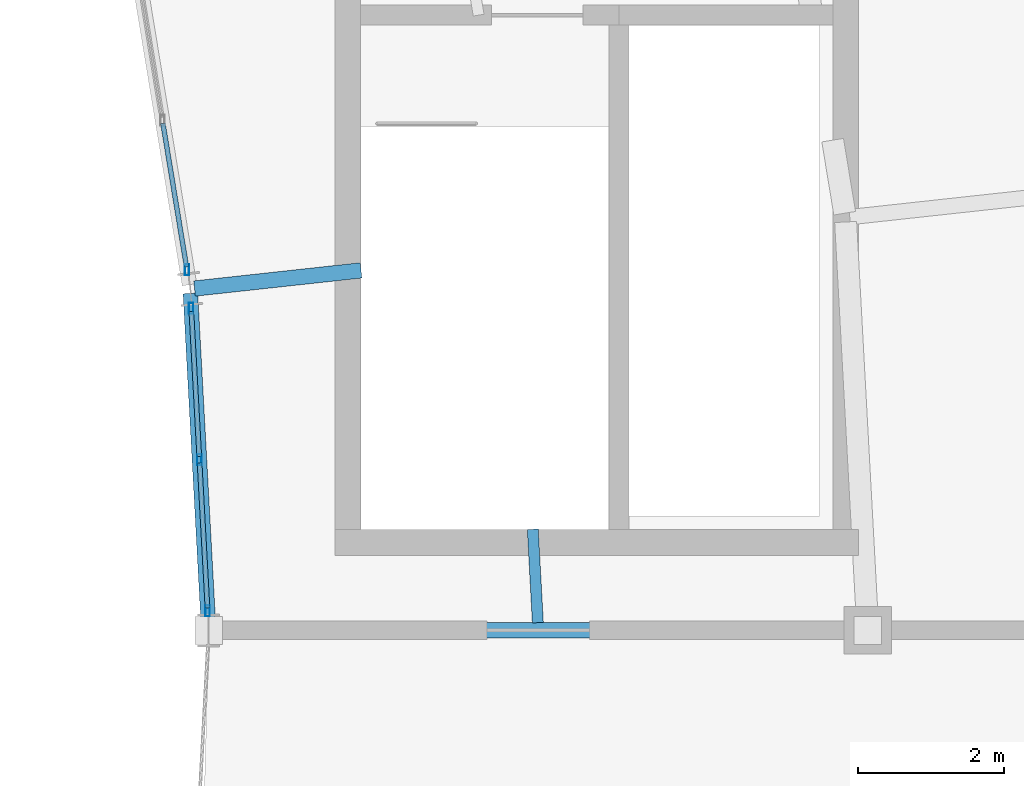
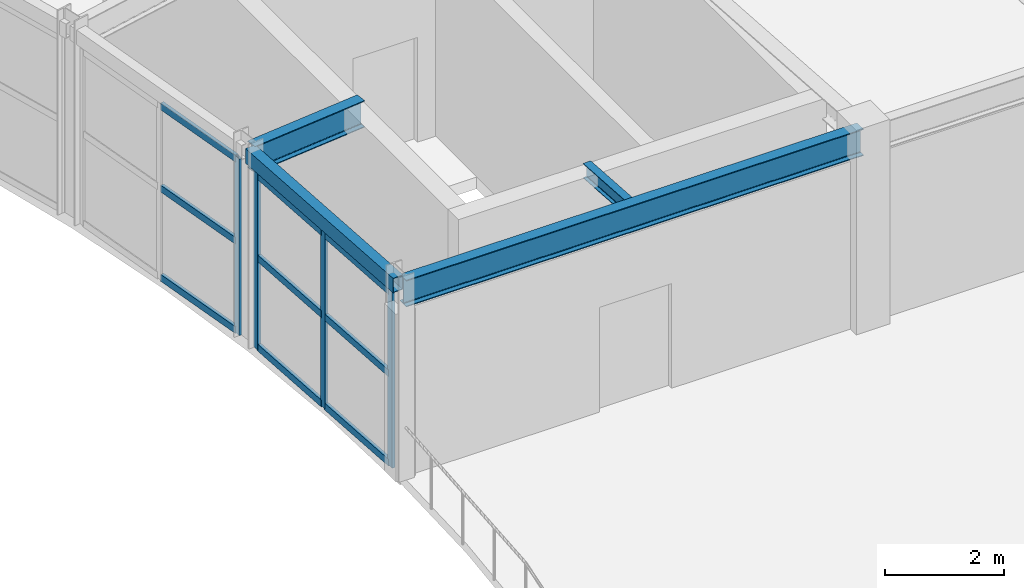
# One storey, part 6 of 29: 13 members, 4 beams, 2 elements without a shape of their own.
"""IFC4 building model written with IfcOpenShell, lengths in metres."""

from ifc_helpers import new_model, si_unit, direction, frame, origin, origin_2d, place, context, subcontext, project, spatial, hollow_rectangle, i_section, extrude, material, material_profile, profile_set, type_object, element, aggregate, save


model = new_model("IFC4")

# Units and contexts
model_context = context("Model", 3, precision=1e-05, world=origin(), true_north=direction((0.0, 1.0)))
body_context = subcontext(model_context, "Body", "Model", "MODEL_VIEW")
ifc_project = project(units=[si_unit("LENGTHUNIT", "METRE"), si_unit("AREAUNIT", "SQUARE_METRE"), si_unit("VOLUMEUNIT", "CUBIC_METRE"), si_unit("PLANEANGLEUNIT", "RADIAN"), si_unit("MASSUNIT", "GRAM", prefix="KILO")], contexts=[model_context])

# Site, building, storey
site_placement = place(None, origin())
site = spatial("IfcSite", under=ifc_project, at=site_placement, CompositionType="ELEMENT")
building_placement = place(site_placement, origin())
building = spatial("IfcBuilding", under=site, at=building_placement, Name="Tarnveldt Headland Concert Hall", CompositionType="ELEMENT")
storey_placement = place(building_placement, frame((0.0, 0.0, 18.60009765625)))
storey = spatial("IfcBuildingStorey", under=building, at=storey_placement, Name="L04", CompositionType="ELEMENT", Elevation=18.60009765625)

# Curtain wall, members
ifc_material_1 = material(Name="Marine-anodised aluminium EN AW-6063-T6", Category="aluminium")
curtain_wall_type = type_object("IfcCurtainWallType", Name="CW-C5", PredefinedType="NOTDEFINED", material=ifc_material_1)
curtain_wall_1_placement = place(storey_placement, origin())
curtain_wall_1 = element("IfcCurtainWall", 1, at=curtain_wall_1_placement, inside=storey, type_object=curtain_wall_type, Name="Curtain wall CW-L04-147", PredefinedType="NOTDEFINED")
ifc_material_profile_1 = material_profile(ifc_material_1, hollow_rectangle(XDim=0.06005859375, YDim=0.14990234375, WallThickness=0.00390625, at=origin_2d()), Name="ALU MULLION 60x150x4", Category="aluminium")
ifc_profile_set_1 = profile_set([ifc_material_profile_1], Name="Marine-anodised aluminium EN AW-6063-T6")
member_type_1 = type_object("IfcMemberType", Name="ML-150", PredefinedType="MULLION", material=ifc_profile_set_1)
member_1_placement = place(storey_placement, frame((160.485595703125, 60.2646484375, 0.0), z_axis=(0.0, 0.0, 1.0), x_axis=(1.0, 0.0, 0.0)))
member_1 = element("IfcMember", 2, at=member_1_placement, type_object=member_type_1, Name="Mullion CW-L04-147-1", PredefinedType="MULLION", context=body_context, shape_type="SweptSolid", body=[
    extrude(hollow_rectangle(XDim=0.06005859375, YDim=0.14990234375, WallThickness=0.00390625, at=origin_2d()), origin(), (0.0, 0.0, 1.0), 3.619873046875),
])
member_2_placement = place(storey_placement, frame((160.373291015625, 62.330322265625, 0.0), z_axis=(0.0, 0.0, 1.0), x_axis=(1.0, 0.0, 0.0)))
member_2 = element("IfcMember", 3, at=member_2_placement, type_object=member_type_1, Name="Mullion CW-L04-147-2", PredefinedType="MULLION", context=body_context, shape_type="SweptSolid", body=[
    extrude(hollow_rectangle(XDim=0.06005859375, YDim=0.14990234375, WallThickness=0.00390625, at=origin_2d()), origin(), (0.0, 0.0, 1.0), 3.619873046875),
])
member_3_placement = place(storey_placement, frame((160.260986328125, 64.39599609375, 0.0), z_axis=(0.0, 0.0, 1.0), x_axis=(1.0, 0.0, 0.0)))
member_3 = element("IfcMember", 4, at=member_3_placement, type_object=member_type_1, Name="Mullion CW-L04-147-3", PredefinedType="MULLION", context=body_context, shape_type="SweptSolid", body=[
    extrude(hollow_rectangle(XDim=0.06005859375, YDim=0.14990234375, WallThickness=0.00390625, at=origin_2d()), origin(), (0.0, 0.0, 1.0), 3.619873046875),
])

# Curtain wall, member
curtain_wall_2_placement = place(storey_placement, origin())
curtain_wall_2 = element("IfcCurtainWall", 5, at=curtain_wall_2_placement, inside=storey, type_object=curtain_wall_type, Name="Curtain wall CW-L04-148", PredefinedType="NOTDEFINED")
member_4_placement = place(storey_placement, frame((160.20361328125, 64.922119140625, 0.0), z_axis=(0.0, 0.0, 1.0), x_axis=(1.0, 0.0, 0.0)))
member_4 = element("IfcMember", 6, at=member_4_placement, type_object=member_type_1, Name="Mullion CW-L04-148-1", PredefinedType="MULLION", context=body_context, shape_type="SweptSolid", body=[
    extrude(hollow_rectangle(XDim=0.06005859375, YDim=0.14990234375, WallThickness=0.00390625, at=origin_2d()), origin(), (0.0, 0.0, 1.0), 3.619873046875),
])

# Beams
ifc_material_2 = material(Name="Steel S355", Category="steel")
ifc_material_profile_2 = material_profile(ifc_material_2, i_section(OverallWidth=0.14990234375, OverallDepth=0.300048828125, WebThickness=0.007080078125, FlangeThickness=0.0107421875, FilletRadius=0.014892578125, at=origin_2d()), Name="IPE300", Category="steel")
ifc_profile_set_2 = profile_set([ifc_material_profile_2], Name="Steel S355")
beam_type_1 = type_object("IfcBeamType", Name="SB-IPE300", PredefinedType="JOIST", material=ifc_profile_set_2)
beam_1_placement = place(storey_placement, frame((164.994384765625, 60.104736328125, 3.85498046875), z_axis=(-0.05429467501, 0.998524956256, 0.0), x_axis=(-0.998524956256, -0.05429467501, 0.0)))
element("IfcBeam", 7, at=beam_1_placement, inside=storey, type_object=beam_type_1, Name="Framing beam L04-1360", PredefinedType="JOIST", context=body_context, shape_type="SweptSolid", body=[
    extrude(i_section(OverallWidth=0.14990234375, OverallDepth=0.300048828125, WebThickness=0.007080078125, FlangeThickness=0.0107421875, FilletRadius=0.014892578125, at=origin_2d()), origin(), (0.0, 0.0, 1.0), 1.277099609375),
])
ifc_material_profile_3 = material_profile(ifc_material_2, i_section(OverallWidth=0.2099609375, OverallDepth=0.550048828125, WebThickness=0.010986328125, FlangeThickness=0.01708984375, FilletRadius=0.02392578125, at=origin_2d()), Name="IPE550", Category="steel")
ifc_profile_set_3 = profile_set([ifc_material_profile_3], Name="Steel S355")
beam_type_2 = type_object("IfcBeamType", Name="SB-IPE550", PredefinedType="BEAM", material=ifc_profile_set_3)
beam_2_placement = place(storey_placement, frame((160.56005859375, 60.0, 3.72998046875), z_axis=(1.0, 0.0, 0.0), x_axis=(0.0, 1.0, 0.0)))
element("IfcBeam", 8, at=beam_2_placement, inside=storey, type_object=beam_type_2, Name="Framing beam L04-1355", PredefinedType="BEAM", context=body_context, shape_type="SweptSolid", body=[
    extrude(i_section(OverallWidth=0.2099609375, OverallDepth=0.550048828125, WebThickness=0.010986328125, FlangeThickness=0.01708984375, FilletRadius=0.02392578125, at=origin_2d()), origin(), (0.0, 0.0, 1.0), 8.8798828125),
])
beam_3_placement = place(storey_placement, frame((160.306396484375, 64.6669921875, 3.72998046875), z_axis=(0.994101758136, 0.108451346104, 0.0), x_axis=(-0.108451346104, 0.994101758136, 0.0)))
element("IfcBeam", 9, at=beam_3_placement, inside=storey, type_object=beam_type_2, Name="Framing beam L04-1362", PredefinedType="BEAM", context=body_context, shape_type="SweptSolid", body=[
    extrude(i_section(OverallWidth=0.2099609375, OverallDepth=0.550048828125, WebThickness=0.010986328125, FlangeThickness=0.01708984375, FilletRadius=0.02392578125, at=origin_2d()), origin(), (0.0, 0.0, 1.0), 2.287109375),
])
ifc_material_profile_4 = material_profile(ifc_material_2, hollow_rectangle(XDim=0.199951171875, YDim=0.300048828125, WallThickness=0.012451171875, at=origin_2d()), Name="RHS 300x200x12.5", Category="steel")
ifc_profile_set_4 = profile_set([ifc_material_profile_4], Name="Steel S355")
beam_type_3 = type_object("IfcBeamType", Name="SB-RHS300", PredefinedType="SPANDREL", material=ifc_profile_set_4)
beam_4_placement = place(storey_placement, frame((160.49658203125, 60.059814453125, 3.85498046875), z_axis=(-0.05422410232, 0.998528791136, 0.0), x_axis=(-0.998528791136, -0.05422410232, 0.0)))
element("IfcBeam", 10, at=beam_4_placement, inside=storey, type_object=beam_type_3, Name="Framing beam L04-1357", PredefinedType="SPANDREL", context=body_context, shape_type="SweptSolid", body=[
    extrude(hollow_rectangle(XDim=0.199951171875, YDim=0.300048828125, WallThickness=0.012451171875, at=origin_2d()), origin(), (0.0, 0.0, 1.0), 4.54736328125),
])

# Member
ifc_material_profile_5 = material_profile(ifc_material_1, hollow_rectangle(XDim=0.06494140625, YDim=0.139892578125, WallThickness=0.00390625, at=origin_2d()), Name="ALU TRANSOM 65x140x4", Category="aluminium")
ifc_profile_set_5 = profile_set([ifc_material_profile_5], Name="Marine-anodised aluminium EN AW-6063-T6")
member_type_2 = type_object("IfcMemberType", Name="TR-140", PredefinedType="MEMBER", material=ifc_profile_set_5)
member_5_placement = place(storey_placement, frame((160.4833984375, 60.306396484375, 0.0498046875), z_axis=(-0.054366384096, 0.9985210545, 0.0), x_axis=(-0.9985210545, -0.054366384096, 0.0)))
member_5 = element("IfcMember", 11, at=member_5_placement, type_object=member_type_2, Name="Transom CW-L04-147-1-1", PredefinedType="MEMBER", context=body_context, shape_type="SweptSolid", body=[
    extrude(hollow_rectangle(XDim=0.06494140625, YDim=0.139892578125, WallThickness=0.00390625, at=origin_2d()), origin(), (0.0, 0.0, 1.0), 1.98486328125),
])

member_6_placement = place(storey_placement, frame((160.4833984375, 60.306396484375, 1.88232421875), z_axis=(-0.054366384096, 0.9985210545, 0.0), x_axis=(-0.9985210545, -0.054366384096, 0.0)))
member_6 = element("IfcMember", 12, at=member_6_placement, type_object=member_type_2, Name="Transom CW-L04-147-1-2", PredefinedType="MEMBER", context=body_context, shape_type="SweptSolid", body=[
    extrude(hollow_rectangle(XDim=0.06494140625, YDim=0.139892578125, WallThickness=0.00390625, at=origin_2d()), origin(), (0.0, 0.0, 1.0), 1.98486328125),
])

member_7_placement = place(storey_placement, frame((160.4833984375, 60.306396484375, 3.56982421875), z_axis=(-0.054366384096, 0.9985210545, 0.0), x_axis=(-0.9985210545, -0.054366384096, 0.0)))
member_7 = element("IfcMember", 13, at=member_7_placement, type_object=member_type_2, Name="Transom CW-L04-147-1-3", PredefinedType="MEMBER", context=body_context, shape_type="SweptSolid", body=[
    extrude(hollow_rectangle(XDim=0.06494140625, YDim=0.139892578125, WallThickness=0.00390625, at=origin_2d()), origin(), (0.0, 0.0, 1.0), 1.98486328125),
])

member_8_placement = place(storey_placement, frame((160.37109375, 62.372314453125, 0.0498046875), z_axis=(-0.054250408618, 0.998527362251, 0.0), x_axis=(-0.998527362251, -0.054250408618, 0.0)))
member_8 = element("IfcMember", 14, at=member_8_placement, type_object=member_type_2, Name="Transom CW-L04-147-2-1", PredefinedType="MEMBER", context=body_context, shape_type="SweptSolid", body=[
    extrude(hollow_rectangle(XDim=0.06494140625, YDim=0.139892578125, WallThickness=0.00390625, at=origin_2d()), origin(), (0.0, 0.0, 1.0), 1.984619140625),
])

member_9_placement = place(storey_placement, frame((160.37109375, 62.372314453125, 1.88232421875), z_axis=(-0.054250408618, 0.998527362251, 0.0), x_axis=(-0.998527362251, -0.054250408618, 0.0)))
member_9 = element("IfcMember", 15, at=member_9_placement, type_object=member_type_2, Name="Transom CW-L04-147-2-2", PredefinedType="MEMBER", context=body_context, shape_type="SweptSolid", body=[
    extrude(hollow_rectangle(XDim=0.06494140625, YDim=0.139892578125, WallThickness=0.00390625, at=origin_2d()), origin(), (0.0, 0.0, 1.0), 1.984619140625),
])

member_10_placement = place(storey_placement, frame((160.37109375, 62.372314453125, 3.56982421875), z_axis=(-0.054250408618, 0.998527362251, 0.0), x_axis=(-0.998527362251, -0.054250408618, 0.0)))
member_10 = element("IfcMember", 16, at=member_10_placement, type_object=member_type_2, Name="Transom CW-L04-147-2-3", PredefinedType="MEMBER", context=body_context, shape_type="SweptSolid", body=[
    extrude(hollow_rectangle(XDim=0.06494140625, YDim=0.139892578125, WallThickness=0.00390625, at=origin_2d()), origin(), (0.0, 0.0, 1.0), 1.984619140625),
])

aggregate(curtain_wall_1, [member_1, member_2, member_3, member_5, member_6, member_7, member_8, member_9, member_10])

member_11_placement = place(storey_placement, frame((160.197021484375, 64.96337890625, 0.0498046875), z_axis=(-0.162224645489, 0.986753851979, 0.0), x_axis=(-0.986753851979, -0.162224645489, 0.0)))
member_11 = element("IfcMember", 17, at=member_11_placement, type_object=member_type_2, Name="Transom CW-L04-148-1-1", PredefinedType="MEMBER", context=body_context, shape_type="SweptSolid", body=[
    extrude(hollow_rectangle(XDim=0.06494140625, YDim=0.139892578125, WallThickness=0.00390625, at=origin_2d()), origin(), (0.0, 0.0, 1.0), 1.985107421875),
])

member_12_placement = place(storey_placement, frame((160.197021484375, 64.96337890625, 1.88232421875), z_axis=(-0.162224645489, 0.986753851979, 0.0), x_axis=(-0.986753851979, -0.162224645489, 0.0)))
member_12 = element("IfcMember", 18, at=member_12_placement, type_object=member_type_2, Name="Transom CW-L04-148-1-2", PredefinedType="MEMBER", context=body_context, shape_type="SweptSolid", body=[
    extrude(hollow_rectangle(XDim=0.06494140625, YDim=0.139892578125, WallThickness=0.00390625, at=origin_2d()), origin(), (0.0, 0.0, 1.0), 1.985107421875),
])

member_13_placement = place(storey_placement, frame((160.197021484375, 64.96337890625, 3.56982421875), z_axis=(-0.162224645489, 0.986753851979, 0.0), x_axis=(-0.986753851979, -0.162224645489, 0.0)))
member_13 = element("IfcMember", 19, at=member_13_placement, type_object=member_type_2, Name="Transom CW-L04-148-1-3", PredefinedType="MEMBER", context=body_context, shape_type="SweptSolid", body=[
    extrude(hollow_rectangle(XDim=0.06494140625, YDim=0.139892578125, WallThickness=0.00390625, at=origin_2d()), origin(), (0.0, 0.0, 1.0), 1.985107421875),
])

aggregate(curtain_wall_2, [member_4, member_11, member_12, member_13])

save(model, "model.ifc")
